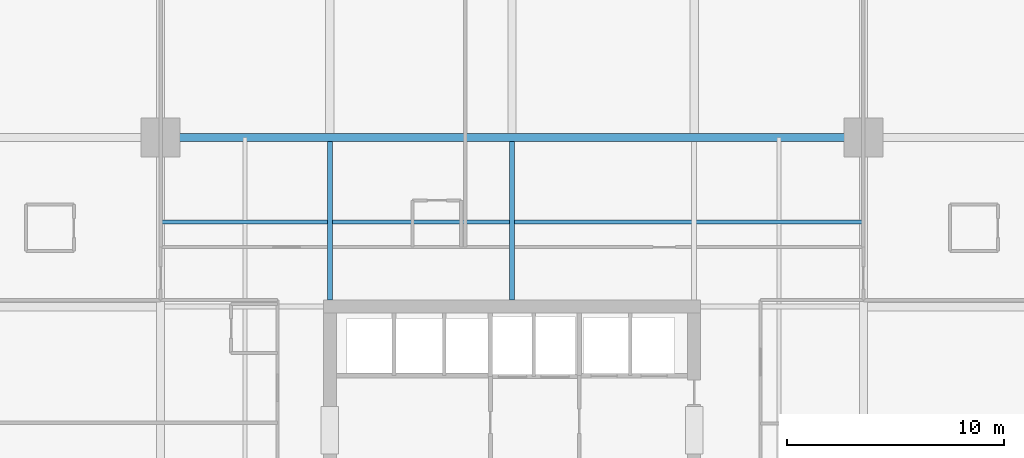
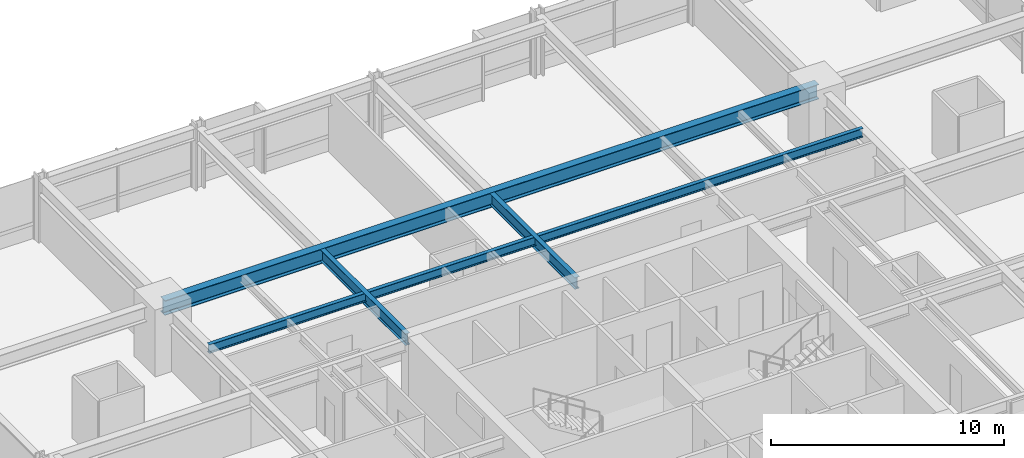
# One storey, part 20 of 37: 4 beams.
"""IFC4 building model written with IfcOpenShell, lengths in metres."""

from ifc_helpers import new_model, si_unit, direction, frame, origin, origin_2d, place, context, subcontext, project, spatial, i_section, extrude, material, material_profile, profile_set, type_object, element, save


model = new_model("IFC4")

# Units and contexts
model_context = context("Model", 3, precision=1e-05, world=origin(), true_north=direction((0.0, 1.0)))
body_context = subcontext(model_context, "Body", "Model", "MODEL_VIEW")
ifc_project = project(units=[si_unit("LENGTHUNIT", "METRE"), si_unit("AREAUNIT", "SQUARE_METRE"), si_unit("VOLUMEUNIT", "CUBIC_METRE"), si_unit("PLANEANGLEUNIT", "RADIAN"), si_unit("MASSUNIT", "GRAM", prefix="KILO")], contexts=[model_context])

# Site, building, storey
site_placement = place(None, origin())
site = spatial("IfcSite", under=ifc_project, at=site_placement, CompositionType="ELEMENT")
building_placement = place(site_placement, origin())
building = spatial("IfcBuilding", under=site, at=building_placement, Name="Drelvath Grand Hotel", CompositionType="ELEMENT")
storey_placement = place(building_placement, frame((0.0, 0.0, 75.199951171875)))
storey = spatial("IfcBuildingStorey", under=building, at=storey_placement, Name="L18", CompositionType="ELEMENT", Elevation=75.199951171875)

# Beams
ifc_material = material(Name="Steel ASTM A992 Gr 50", Category="steel")
ifc_material_profile_1 = material_profile(ifc_material, i_section(OverallWidth=0.19140625, OverallDepth=0.4599609375, WebThickness=0.010009765625, FlangeThickness=0.01611328125, FilletRadius=0.01611328125, at=origin_2d()), Name="W18X55")
ifc_profile_set_1 = profile_set([ifc_material_profile_1], Name="Steel ASTM A992 Gr 50")
beam_type_1 = type_object("IfcBeamType", Name="Composite Floor Joist W18X55", PredefinedType="JOIST", material=ifc_profile_set_1)
beam_1_placement = place(storey_placement, frame((-16.199951171875, 39.300048828125, 3.010009765625), z_axis=(1.0, 0.0, 0.0), x_axis=(0.0, 1.0, 0.0)))
element("IfcBeam", 1, at=beam_1_placement, inside=storey, type_object=beam_type_1, Name="L18 Floor Joist J2", PredefinedType="JOIST", context=body_context, shape_type="SweptSolid", body=[
    extrude(i_section(OverallWidth=0.19140625, OverallDepth=0.4599609375, WebThickness=0.010009765625, FlangeThickness=0.01611328125, FilletRadius=0.01611328125, at=origin_2d()), origin(), (0.0, 0.0, 1.0), 32.39990234375),
])
ifc_material_profile_2 = material_profile(ifc_material, i_section(OverallWidth=0.228271484375, OverallDepth=0.607666015625, WebThickness=0.01123046875, FlangeThickness=0.017333984375, FilletRadius=0.02001953125, at=origin_2d()), Name="W24X76")
ifc_profile_set_2 = profile_set([ifc_material_profile_2], Name="Steel ASTM A992 Gr 50")
beam_type_2 = type_object("IfcBeamType", Name="Primary Floor Girder W24X76", PredefinedType="BEAM", material=ifc_profile_set_2)
for number, where, z_axis, x_axis, name in (
    (2, (-8.39990234375, 35.699951171875, 2.936279296875), (0.0, 1.0, 0.0), (-1.0, 0.0, 0.0), "L18 North Core Tie 4"),
    (3, (0.0, 35.699951171875, 2.936279296875), (0.0, 1.0, 0.0), (-1.0, 0.0, 0.0), "L18 North Core Tie 5"),
):
    element("IfcBeam", number, at=place(storey_placement, frame(where, z_axis=z_axis, x_axis=x_axis)), inside=storey, type_object=beam_type_2, Name=name, PredefinedType="BEAM", context=body_context, shape_type="SweptSolid", body=[
        extrude(i_section(OverallWidth=0.228271484375, OverallDepth=0.607666015625, WebThickness=0.01123046875, FlangeThickness=0.017333984375, FilletRadius=0.02001953125, at=origin_2d()), origin(), (0.0, 0.0, 1.0), 7.309814453125),
    ])
ifc_material_profile_3 = material_profile(ifc_material, i_section(OverallWidth=0.380615234375, OverallDepth=0.773193359375, WebThickness=0.0166015625, FlangeThickness=0.027099609375, FilletRadius=0.02490234375, at=origin_2d()), Name="W30X173")
ifc_profile_set_3 = profile_set([ifc_material_profile_3], Name="Steel ASTM A992 Gr 50")
beam_type_3 = type_object("IfcBeamType", Name="Primary Floor Girder W30X173", PredefinedType="BEAM", material=ifc_profile_set_3)
beam_2_placement = place(storey_placement, frame((-16.199951171875, 43.199951171875, 2.853515625), z_axis=(1.0, 0.0, 0.0), x_axis=(0.0, 1.0, 0.0)))
element("IfcBeam", 4, at=beam_2_placement, inside=storey, type_object=beam_type_3, Name="L18 Mega Ring Girder North", PredefinedType="BEAM", context=body_context, shape_type="SweptSolid", body=[
    extrude(i_section(OverallWidth=0.380615234375, OverallDepth=0.773193359375, WebThickness=0.0166015625, FlangeThickness=0.027099609375, FilletRadius=0.02490234375, at=origin_2d()), origin(), (0.0, 0.0, 1.0), 32.39990234375),
])

save(model, "model.ifc")
